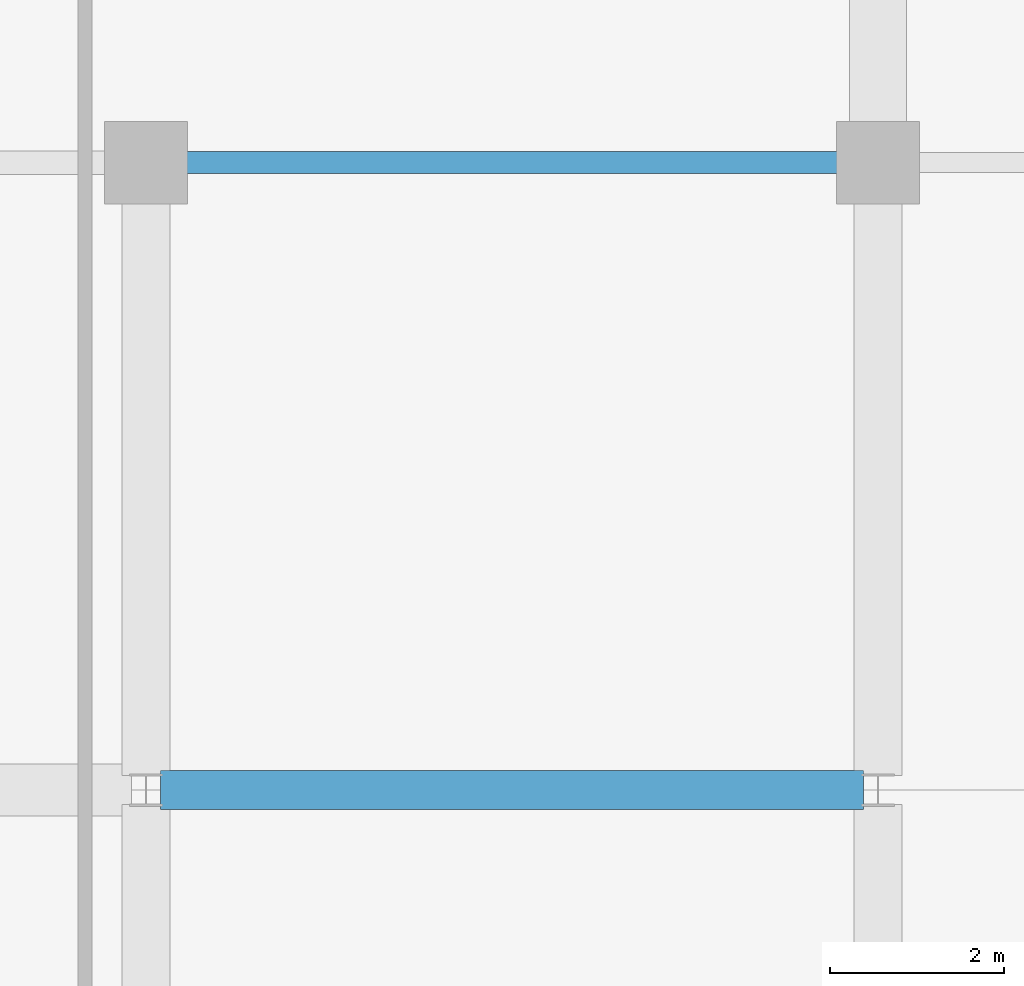
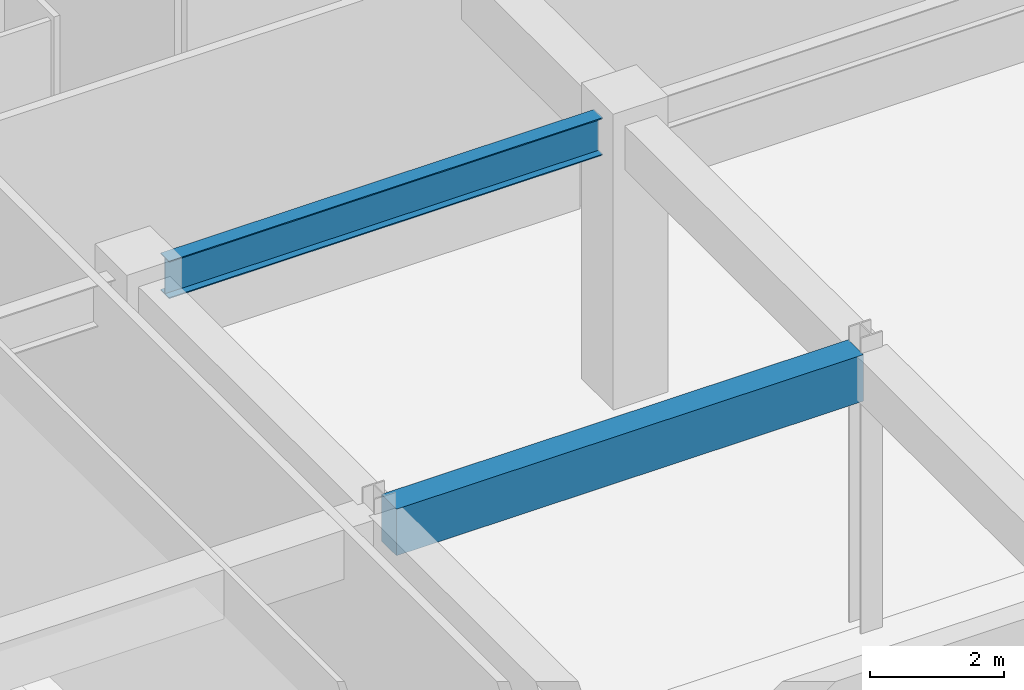
# One storey, part 52 of 148: 2 beams.
"""IFC4 building model written with IfcOpenShell, lengths in metres."""

from ifc_helpers import new_model, si_unit, direction, frame, origin, origin_2d, place, context, subcontext, project, spatial, rectangle, i_section, extrude, material, material_profile, profile_set, type_object, element, save


model = new_model("IFC4")

# Units and contexts
model_context = context("Model", 3, precision=1e-05, world=origin(), true_north=direction((0.0, 1.0)))
body_context = subcontext(model_context, "Body", "Model", "MODEL_VIEW")
ifc_project = project(units=[si_unit("LENGTHUNIT", "METRE"), si_unit("AREAUNIT", "SQUARE_METRE"), si_unit("VOLUMEUNIT", "CUBIC_METRE"), si_unit("PLANEANGLEUNIT", "RADIAN"), si_unit("MASSUNIT", "GRAM", prefix="KILO")], contexts=[model_context])

# Site, building, storey
site_placement = place(None, origin())
site = spatial("IfcSite", under=ifc_project, at=site_placement, CompositionType="ELEMENT")
building_placement = place(site_placement, origin())
building = spatial("IfcBuilding", under=site, at=building_placement, Name="Quendrovan Civic Courthouse", CompositionType="ELEMENT")
storey_placement = place(building_placement, origin())
storey = spatial("IfcBuildingStorey", under=building, at=storey_placement, Name="L01", CompositionType="ELEMENT", Elevation=0.0)

# Beams
ifc_material_1 = material(Name="Concrete C45/55", Category="concrete")
ifc_material_profile_1 = material_profile(ifc_material_1, rectangle(XDim=0.449951171875, YDim=0.85009765625, at=origin_2d()), Name="RC-BM-450x850")
ifc_profile_set_1 = profile_set([ifc_material_profile_1], Name="Concrete C45/55")
beam_type_1 = type_object("IfcBeamType", Name="BM-RC850", PredefinedType="BEAM", material=ifc_profile_set_1)
beam_1_placement = place(storey_placement, frame((42.1669921875, 80.39990234375, 4.695068359375), z_axis=(1.0, 0.0, 0.0), x_axis=(0.0, 1.0, 0.0)))
element("IfcBeam", 1, at=beam_1_placement, inside=storey, type_object=beam_type_1, Name="L01 Girder X0312", PredefinedType="BEAM", context=body_context, shape_type="SweptSolid", body=[
    extrude(rectangle(XDim=0.449951171875, YDim=0.85009765625, at=origin_2d()), origin(), (0.0, 0.0, 1.0), 8.06591796875),
])
ifc_material_2 = material(Name="Steel ASTM A992 Grade 50", Category="steel")
ifc_material_profile_2 = material_profile(ifc_material_2, i_section(OverallWidth=0.25390625, OverallDepth=0.68408203125, WebThickness=0.012451171875, FlangeThickness=0.018798828125, at=origin_2d()), Name="W27X94")
ifc_profile_set_2 = profile_set([ifc_material_profile_2], Name="Steel ASTM A992 Grade 50")
beam_type_2 = type_object("IfcBeamType", Name="BM-STL-W27", PredefinedType="BEAM", material=ifc_profile_set_2)
beam_2_placement = place(storey_placement, frame((42.455078125, 87.60009765625, 4.778076171875), z_axis=(1.0, 0.0, 0.0), x_axis=(0.0, 1.0, 0.0)))
element("IfcBeam", 2, at=beam_2_placement, inside=storey, type_object=beam_type_2, Name="L01 Girder X0317", PredefinedType="BEAM", context=body_context, shape_type="SweptSolid", body=[
    extrude(i_section(OverallWidth=0.25390625, OverallDepth=0.68408203125, WebThickness=0.012451171875, FlangeThickness=0.018798828125, at=origin_2d()), origin(), (0.0, 0.0, 1.0), 7.489990234375),
])

save(model, "model.ifc")
